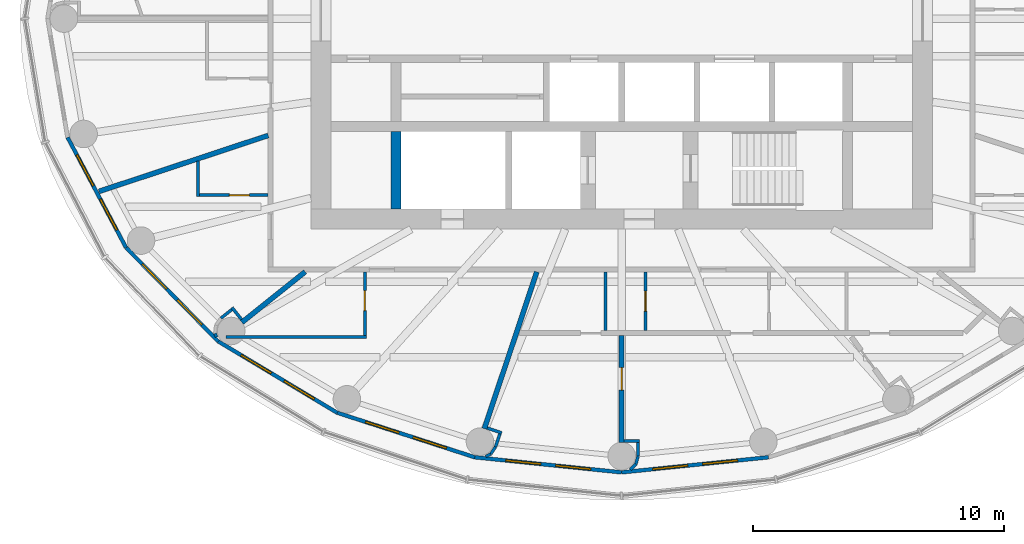
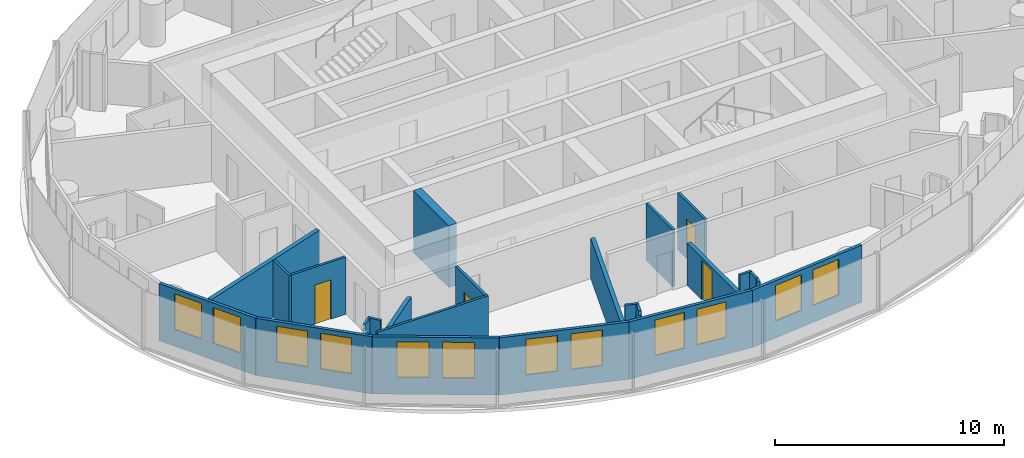
# One storey, part 6 of 14: 28 walls, 12 windows, 4 doors, 16 openings.
"""IFC4 building model written with IfcOpenShell, lengths in metres."""

from ifc_helpers import new_model, si_unit, direction, frame, frame_2d, origin, place, context, subcontext, project, spatial, rectangle, extrude, material, layer, layer_set, type_object, element, fill, save


model = new_model("IFC4")

# Units and contexts
model_context = context("Model", 3, precision=1e-05, world=origin(), true_north=direction((0.0, 1.0)))
body_context = subcontext(model_context, "Body", "Model", "MODEL_VIEW")
ifc_project = project(units=[si_unit("LENGTHUNIT", "METRE"), si_unit("AREAUNIT", "SQUARE_METRE"), si_unit("VOLUMEUNIT", "CUBIC_METRE"), si_unit("PLANEANGLEUNIT", "RADIAN"), si_unit("MASSUNIT", "GRAM", prefix="KILO")], contexts=[model_context])

# Site, building, storey
site_placement = place(None, origin())
site = spatial("IfcSite", under=ifc_project, at=site_placement, CompositionType="ELEMENT")
building_placement = place(site_placement, origin())
building = spatial("IfcBuilding", under=site, at=building_placement, Name="Hankou Lantern Tower", CompositionType="ELEMENT")
storey_placement = place(building_placement, frame((0.0, 0.0, 183.0)))
storey = spatial("IfcBuildingStorey", under=building, at=storey_placement, Name="L49", CompositionType="ELEMENT", Elevation=183.0)

# Wall
ifc_material_1 = material(Name="Concrete C60", Category="concrete")
ifc_layer_1 = layer(ifc_material_1, 0.39990234375)
ifc_layer_set_1 = layer_set([ifc_layer_1], Name="Concrete C60")
wall_type_1 = type_object("IfcWallType", Name="CW4 CORE CROSS WALL 400", PredefinedType="SHEAR", material=ifc_layer_set_1)
wall_1_placement = place(storey_placement, frame((-9.0, -7.60009765625, 0.0), z_axis=(0.0, 0.0, 1.0), x_axis=(0.0, 1.0, 0.0)))
element("IfcWall", 1, at=wall_1_placement, inside=storey, type_object=wall_type_1, Name="Core strip wall L49", PredefinedType="SHEAR", context=body_context, shape_type="SweptSolid", body=[
    extrude(rectangle(XDim=3.10009765625, YDim=0.39990234375, at=frame_2d((1.550048828125, 0.0))), origin(), (0.0, 0.0, 1.0), 3.300048828125),
])

# Wall, openings, windows
ifc_material_2 = material(Name="Aluminium spandrel panel on steel studs", Category="steel")
ifc_layer_2 = layer(ifc_material_2, 0.14990234375)
ifc_layer_set_2 = layer_set([ifc_layer_2], Name="Aluminium spandrel panel on steel studs")
wall_type_2 = type_object("IfcWallType", Name="EW1 INNER SKIN WALL 150", PredefinedType="ELEMENTEDWALL", material=ifc_layer_set_2)
wall_2_placement = place(storey_placement, frame((-22.1015625, -4.73779296875, 0.0), z_axis=(0.0, 0.0, 1.0), x_axis=(0.468428906714, -0.883501193748, 0.0)))
wall_2 = element("IfcWall", 2, at=wall_2_placement, inside=storey, type_object=wall_type_2, Name="Inner skin R14-R15 L49", PredefinedType="ELEMENTEDWALL", context=body_context, shape_type="SweptSolid", body=[
    extrude(rectangle(XDim=4.9736328125, YDim=0.14990234375, at=frame_2d((2.48681640625, 0.0))), origin(), (0.0, 0.0, 1.0), 3.050048828125),
])
opening_1_placement = place(wall_2_placement, frame((0.786865234375, 0.0, 0.89990234375)))
opening_1 = element("IfcOpeningElement", 3, at=opening_1_placement, cuts=wall_2, Name="Opening W3", PredefinedType="OPENING", context=body_context, shape_type="SweptSolid", body=[
    extrude(rectangle(XDim=1.39990234375, YDim=1.89990234375, at=frame_2d((0.699951171875, 0.949951171875))), frame((0.0, 0.0849609375, 0.0), z_axis=(0.0, -1.0, 0.0), x_axis=(1.0, 0.0, 0.0)), (0.0, 0.0, 1.0), 0.169921875),
])
opening_2_placement = place(wall_2_placement, frame((2.786865234375, 0.0, 0.89990234375)))
opening_2 = element("IfcOpeningElement", 4, at=opening_2_placement, cuts=wall_2, Name="Opening W3", PredefinedType="OPENING", context=body_context, shape_type="SweptSolid", body=[
    extrude(rectangle(XDim=1.39990234375, YDim=1.89990234375, at=frame_2d((0.699951171875, 0.949951171875))), frame((0.0, 0.0849609375, 0.0), z_axis=(0.0, -1.0, 0.0), x_axis=(1.0, 0.0, 0.0)), (0.0, 0.0, 1.0), 0.169921875),
])
ifc_material_3 = material(Name="Aluminium framed double glazed window", Category="aluminium")
window_type = type_object("IfcWindowType", Name="W3 GUEST ROOM WINDOW 1400X1900", PartitioningType="DOUBLE_PANEL_VERTICAL", PredefinedType="WINDOW", material=ifc_material_3)
window_1_placement = place(opening_1_placement, origin())
window_1 = element("IfcWindow", 5, at=window_1_placement, inside=storey, type_object=window_type, Name="Window R14.1 L49", OverallHeight=1.89990234375, OverallWidth=1.39990234375, PartitioningType="SINGLE_PANEL", PredefinedType="WINDOW", context=body_context, shape_type="SweptSolid", body=[
    extrude(rectangle(XDim=1.39990234375, YDim=1.89990234375, at=frame_2d((0.699951171875, 0.949951171875))), frame((0.0, 0.030029296875, 0.0), z_axis=(0.0, -1.0, 0.0), x_axis=(1.0, 0.0, 0.0)), (0.0, 0.0, 1.0), 0.06005859375),
])
fill(opening_1, window_1)
window_2_placement = place(opening_2_placement, origin())
window_2 = element("IfcWindow", 6, at=window_2_placement, inside=storey, type_object=window_type, Name="Window R14.2 L49", OverallHeight=1.89990234375, OverallWidth=1.39990234375, PartitioningType="SINGLE_PANEL", PredefinedType="WINDOW", context=body_context, shape_type="SweptSolid", body=[
    extrude(rectangle(XDim=1.39990234375, YDim=1.89990234375, at=frame_2d((0.699951171875, 0.949951171875))), frame((0.0, 0.030029296875, 0.0), z_axis=(0.0, -1.0, 0.0), x_axis=(1.0, 0.0, 0.0)), (0.0, 0.0, 1.0), 0.06005859375),
])
fill(opening_2, window_2)

wall_3_placement = place(storey_placement, frame((-19.771728515625, -9.132080078125, 0.0), z_axis=(0.0, 0.0, 1.0), x_axis=(0.700727467776, -0.71342905457, 0.0)))
wall_3 = element("IfcWall", 7, at=wall_3_placement, inside=storey, type_object=wall_type_2, Name="Inner skin R15-R16 L49", PredefinedType="ELEMENTEDWALL", context=body_context, shape_type="SweptSolid", body=[
    extrude(rectangle(XDim=5.247314453125, YDim=0.14990234375, at=frame_2d((2.62353515625, 0.0))), origin(), (0.0, 0.0, 1.0), 3.050048828125),
])
opening_3_placement = place(wall_3_placement, frame((0.923583984375, 0.0, 0.89990234375)))
opening_3 = element("IfcOpeningElement", 8, at=opening_3_placement, cuts=wall_3, Name="Opening W3", PredefinedType="OPENING", context=body_context, shape_type="SweptSolid", body=[
    extrude(rectangle(XDim=1.39990234375, YDim=1.89990234375, at=frame_2d((0.699951171875, 0.949951171875))), frame((0.0, 0.0849609375, 0.0), z_axis=(0.0, -1.0, 0.0), x_axis=(1.0, 0.0, 0.0)), (0.0, 0.0, 1.0), 0.169921875),
])
opening_4_placement = place(wall_3_placement, frame((2.923583984375, 0.0, 0.89990234375)))
opening_4 = element("IfcOpeningElement", 9, at=opening_4_placement, cuts=wall_3, Name="Opening W3", PredefinedType="OPENING", context=body_context, shape_type="SweptSolid", body=[
    extrude(rectangle(XDim=1.39990234375, YDim=1.89990234375, at=frame_2d((0.699951171875, 0.949951171875))), frame((0.0, 0.0849609375, 0.0), z_axis=(0.0, -1.0, 0.0), x_axis=(1.0, 0.0, 0.0)), (0.0, 0.0, 1.0), 0.169921875),
])
window_3_placement = place(opening_3_placement, origin())
window_3 = element("IfcWindow", 10, at=window_3_placement, inside=storey, type_object=window_type, Name="Window R15.1 L49", OverallHeight=1.89990234375, OverallWidth=1.39990234375, PartitioningType="SINGLE_PANEL", PredefinedType="WINDOW", context=body_context, shape_type="SweptSolid", body=[
    extrude(rectangle(XDim=1.39990234375, YDim=1.89990234375, at=frame_2d((0.699951171875, 0.949951171875))), frame((0.0, 0.030029296875, 0.0), z_axis=(0.0, -1.0, 0.0), x_axis=(1.0, 0.0, 0.0)), (0.0, 0.0, 1.0), 0.06005859375),
])
fill(opening_3, window_3)
window_4_placement = place(opening_4_placement, origin())
window_4 = element("IfcWindow", 11, at=window_4_placement, inside=storey, type_object=window_type, Name="Window R15.2 L49", OverallHeight=1.89990234375, OverallWidth=1.39990234375, PartitioningType="SINGLE_PANEL", PredefinedType="WINDOW", context=body_context, shape_type="SweptSolid", body=[
    extrude(rectangle(XDim=1.39990234375, YDim=1.89990234375, at=frame_2d((0.699951171875, 0.949951171875))), frame((0.0, 0.030029296875, 0.0), z_axis=(0.0, -1.0, 0.0), x_axis=(1.0, 0.0, 0.0)), (0.0, 0.0, 1.0), 0.06005859375),
])
fill(opening_4, window_4)

wall_4_placement = place(storey_placement, frame((-16.0947265625, -12.875732421875, 0.0), z_axis=(0.0, 0.0, 1.0), x_axis=(0.857695199231, -0.514158482587, 0.0)))
wall_4 = element("IfcWall", 12, at=wall_4_placement, inside=storey, type_object=wall_type_2, Name="Inner skin R16-R17 L49", PredefinedType="ELEMENTEDWALL", context=body_context, shape_type="SweptSolid", body=[
    extrude(rectangle(XDim=5.5361328125, YDim=0.14990234375, at=frame_2d((2.76806640625, 0.0))), origin(), (0.0, 0.0, 1.0), 3.050048828125),
])
opening_5_placement = place(wall_4_placement, frame((1.068115234375, 0.0, 0.89990234375)))
opening_5 = element("IfcOpeningElement", 13, at=opening_5_placement, cuts=wall_4, Name="Opening W3", PredefinedType="OPENING", context=body_context, shape_type="SweptSolid", body=[
    extrude(rectangle(XDim=1.39990234375, YDim=1.89990234375, at=frame_2d((0.699951171875, 0.949951171875))), frame((0.0, 0.0849609375, 0.0), z_axis=(0.0, -1.0, 0.0), x_axis=(1.0, 0.0, 0.0)), (0.0, 0.0, 1.0), 0.169921875),
])
opening_6_placement = place(wall_4_placement, frame((3.068115234375, 0.0, 0.89990234375)))
opening_6 = element("IfcOpeningElement", 14, at=opening_6_placement, cuts=wall_4, Name="Opening W3", PredefinedType="OPENING", context=body_context, shape_type="SweptSolid", body=[
    extrude(rectangle(XDim=1.39990234375, YDim=1.89990234375, at=frame_2d((0.699951171875, 0.949951171875))), frame((0.0, 0.0849609375, 0.0), z_axis=(0.0, -1.0, 0.0), x_axis=(1.0, 0.0, 0.0)), (0.0, 0.0, 1.0), 0.169921875),
])
window_5_placement = place(opening_5_placement, origin())
window_5 = element("IfcWindow", 15, at=window_5_placement, inside=storey, type_object=window_type, Name="Window R16.1 L49", OverallHeight=1.89990234375, OverallWidth=1.39990234375, PartitioningType="SINGLE_PANEL", PredefinedType="WINDOW", context=body_context, shape_type="SweptSolid", body=[
    extrude(rectangle(XDim=1.39990234375, YDim=1.89990234375, at=frame_2d((0.699951171875, 0.949951171875))), frame((0.0, 0.030029296875, 0.0), z_axis=(0.0, -1.0, 0.0), x_axis=(1.0, 0.0, 0.0)), (0.0, 0.0, 1.0), 0.06005859375),
])
fill(opening_5, window_5)
window_6_placement = place(opening_6_placement, origin())
window_6 = element("IfcWindow", 16, at=window_6_placement, inside=storey, type_object=window_type, Name="Window R16.2 L49", OverallHeight=1.89990234375, OverallWidth=1.39990234375, PartitioningType="SINGLE_PANEL", PredefinedType="WINDOW", context=body_context, shape_type="SweptSolid", body=[
    extrude(rectangle(XDim=1.39990234375, YDim=1.89990234375, at=frame_2d((0.699951171875, 0.949951171875))), frame((0.0, 0.030029296875, 0.0), z_axis=(0.0, -1.0, 0.0), x_axis=(1.0, 0.0, 0.0)), (0.0, 0.0, 1.0), 0.06005859375),
])
fill(opening_6, window_6)

wall_5_placement = place(storey_placement, frame((-11.346435546875, -15.72216796875, 0.0), z_axis=(0.0, 0.0, 1.0), x_axis=(0.951432482129, -0.307857486429, 0.0)))
wall_5 = element("IfcWall", 17, at=wall_5_placement, inside=storey, type_object=wall_type_2, Name="Inner skin R17-R18 L49", PredefinedType="ELEMENTEDWALL", context=body_context, shape_type="SweptSolid", body=[
    extrude(rectangle(XDim=5.76611328125, YDim=0.14990234375, at=frame_2d((2.883056640625, 0.0))), origin(), (0.0, 0.0, 1.0), 3.050048828125),
])
opening_7_placement = place(wall_5_placement, frame((1.18310546875, 0.0, 0.89990234375)))
opening_7 = element("IfcOpeningElement", 18, at=opening_7_placement, cuts=wall_5, Name="Opening W3", PredefinedType="OPENING", context=body_context, shape_type="SweptSolid", body=[
    extrude(rectangle(XDim=1.39990234375, YDim=1.89990234375, at=frame_2d((0.699951171875, 0.949951171875))), frame((0.0, 0.0849609375, 0.0), z_axis=(0.0, -1.0, 0.0), x_axis=(1.0, 0.0, 0.0)), (0.0, 0.0, 1.0), 0.169921875),
])
opening_8_placement = place(wall_5_placement, frame((3.18310546875, 0.0, 0.89990234375)))
opening_8 = element("IfcOpeningElement", 19, at=opening_8_placement, cuts=wall_5, Name="Opening W3", PredefinedType="OPENING", context=body_context, shape_type="SweptSolid", body=[
    extrude(rectangle(XDim=1.39990234375, YDim=1.89990234375, at=frame_2d((0.699951171875, 0.949951171875))), frame((0.0, 0.0849609375, 0.0), z_axis=(0.0, -1.0, 0.0), x_axis=(1.0, 0.0, 0.0)), (0.0, 0.0, 1.0), 0.169921875),
])
window_7_placement = place(opening_7_placement, origin())
window_7 = element("IfcWindow", 20, at=window_7_placement, inside=storey, type_object=window_type, Name="Window R17.1 L49", OverallHeight=1.89990234375, OverallWidth=1.39990234375, PartitioningType="SINGLE_PANEL", PredefinedType="WINDOW", context=body_context, shape_type="SweptSolid", body=[
    extrude(rectangle(XDim=1.39990234375, YDim=1.89990234375, at=frame_2d((0.699951171875, 0.949951171875))), frame((0.0, 0.030029296875, 0.0), z_axis=(0.0, -1.0, 0.0), x_axis=(1.0, 0.0, 0.0)), (0.0, 0.0, 1.0), 0.06005859375),
])
fill(opening_7, window_7)
window_8_placement = place(opening_8_placement, origin())
window_8 = element("IfcWindow", 21, at=window_8_placement, inside=storey, type_object=window_type, Name="Window R17.2 L49", OverallHeight=1.89990234375, OverallWidth=1.39990234375, PartitioningType="SINGLE_PANEL", PredefinedType="WINDOW", context=body_context, shape_type="SweptSolid", body=[
    extrude(rectangle(XDim=1.39990234375, YDim=1.89990234375, at=frame_2d((0.699951171875, 0.949951171875))), frame((0.0, 0.030029296875, 0.0), z_axis=(0.0, -1.0, 0.0), x_axis=(1.0, 0.0, 0.0)), (0.0, 0.0, 1.0), 0.06005859375),
])
fill(opening_8, window_8)

wall_6_placement = place(storey_placement, frame((-5.8603515625, -17.497314453125, 0.0), z_axis=(0.0, 0.0, 1.0), x_axis=(0.994751738032, -0.102318032045, 0.0)))
wall_6 = element("IfcWall", 22, at=wall_6_placement, inside=storey, type_object=wall_type_2, Name="Inner skin R18-R19 L49", PredefinedType="ELEMENTEDWALL", context=body_context, shape_type="SweptSolid", body=[
    extrude(rectangle(XDim=5.891357421875, YDim=0.14990234375, at=frame_2d((2.94580078125, 0.0))), origin(), (0.0, 0.0, 1.0), 3.050048828125),
])
opening_9_placement = place(wall_6_placement, frame((1.24560546875, 0.0, 0.89990234375)))
opening_9 = element("IfcOpeningElement", 23, at=opening_9_placement, cuts=wall_6, Name="Opening W3", PredefinedType="OPENING", context=body_context, shape_type="SweptSolid", body=[
    extrude(rectangle(XDim=1.39990234375, YDim=1.89990234375, at=frame_2d((0.699951171875, 0.949951171875))), frame((0.0, 0.0849609375, 0.0), z_axis=(0.0, -1.0, 0.0), x_axis=(1.0, 0.0, 0.0)), (0.0, 0.0, 1.0), 0.169921875),
])
opening_10_placement = place(wall_6_placement, frame((3.24560546875, 0.0, 0.89990234375)))
opening_10 = element("IfcOpeningElement", 24, at=opening_10_placement, cuts=wall_6, Name="Opening W3", PredefinedType="OPENING", context=body_context, shape_type="SweptSolid", body=[
    extrude(rectangle(XDim=1.39990234375, YDim=1.89990234375, at=frame_2d((0.699951171875, 0.949951171875))), frame((0.0, 0.0849609375, 0.0), z_axis=(0.0, -1.0, 0.0), x_axis=(1.0, 0.0, 0.0)), (0.0, 0.0, 1.0), 0.169921875),
])
window_9_placement = place(opening_9_placement, origin())
window_9 = element("IfcWindow", 25, at=window_9_placement, inside=storey, type_object=window_type, Name="Window R18.1 L49", OverallHeight=1.89990234375, OverallWidth=1.39990234375, PartitioningType="SINGLE_PANEL", PredefinedType="WINDOW", context=body_context, shape_type="SweptSolid", body=[
    extrude(rectangle(XDim=1.39990234375, YDim=1.89990234375, at=frame_2d((0.699951171875, 0.949951171875))), frame((0.0, 0.030029296875, 0.0), z_axis=(0.0, -1.0, 0.0), x_axis=(1.0, 0.0, 0.0)), (0.0, 0.0, 1.0), 0.06005859375),
])
fill(opening_9, window_9)
window_10_placement = place(opening_10_placement, origin())
window_10 = element("IfcWindow", 26, at=window_10_placement, inside=storey, type_object=window_type, Name="Window R18.2 L49", OverallHeight=1.89990234375, OverallWidth=1.39990234375, PartitioningType="SINGLE_PANEL", PredefinedType="WINDOW", context=body_context, shape_type="SweptSolid", body=[
    extrude(rectangle(XDim=1.39990234375, YDim=1.89990234375, at=frame_2d((0.699951171875, 0.949951171875))), frame((0.0, 0.030029296875, 0.0), z_axis=(0.0, -1.0, 0.0), x_axis=(1.0, 0.0, 0.0)), (0.0, 0.0, 1.0), 0.06005859375),
])
fill(opening_10, window_10)

wall_7_placement = place(storey_placement, frame((0.0, -18.10009765625, 0.0), z_axis=(0.0, 0.0, 1.0), x_axis=(0.994751738032, 0.102318032045, 0.0)))
wall_7 = element("IfcWall", 27, at=wall_7_placement, inside=storey, type_object=wall_type_2, Name="Inner skin R19-R20 L49", PredefinedType="ELEMENTEDWALL", context=body_context, shape_type="SweptSolid", body=[
    extrude(rectangle(XDim=5.891357421875, YDim=0.14990234375, at=frame_2d((2.94580078125, 0.0))), origin(), (0.0, 0.0, 1.0), 3.050048828125),
])
opening_11_placement = place(wall_7_placement, frame((1.24560546875, 0.0, 0.89990234375)))
opening_11 = element("IfcOpeningElement", 28, at=opening_11_placement, cuts=wall_7, Name="Opening W3", PredefinedType="OPENING", context=body_context, shape_type="SweptSolid", body=[
    extrude(rectangle(XDim=1.39990234375, YDim=1.89990234375, at=frame_2d((0.699951171875, 0.949951171875))), frame((0.0, 0.0849609375, 0.0), z_axis=(0.0, -1.0, 0.0), x_axis=(1.0, 0.0, 0.0)), (0.0, 0.0, 1.0), 0.169921875),
])
opening_12_placement = place(wall_7_placement, frame((3.24560546875, 0.0, 0.89990234375)))
opening_12 = element("IfcOpeningElement", 29, at=opening_12_placement, cuts=wall_7, Name="Opening W3", PredefinedType="OPENING", context=body_context, shape_type="SweptSolid", body=[
    extrude(rectangle(XDim=1.39990234375, YDim=1.89990234375, at=frame_2d((0.699951171875, 0.949951171875))), frame((0.0, 0.0849609375, 0.0), z_axis=(0.0, -1.0, 0.0), x_axis=(1.0, 0.0, 0.0)), (0.0, 0.0, 1.0), 0.169921875),
])
window_11_placement = place(opening_11_placement, origin())
window_11 = element("IfcWindow", 30, at=window_11_placement, inside=storey, type_object=window_type, Name="Window R19.1 L49", OverallHeight=1.89990234375, OverallWidth=1.39990234375, PartitioningType="SINGLE_PANEL", PredefinedType="WINDOW", context=body_context, shape_type="SweptSolid", body=[
    extrude(rectangle(XDim=1.39990234375, YDim=1.89990234375, at=frame_2d((0.699951171875, 0.949951171875))), frame((0.0, 0.030029296875, 0.0), z_axis=(0.0, -1.0, 0.0), x_axis=(1.0, 0.0, 0.0)), (0.0, 0.0, 1.0), 0.06005859375),
])
fill(opening_11, window_11)
window_12_placement = place(opening_12_placement, origin())
window_12 = element("IfcWindow", 31, at=window_12_placement, inside=storey, type_object=window_type, Name="Window R19.2 L49", OverallHeight=1.89990234375, OverallWidth=1.39990234375, PartitioningType="SINGLE_PANEL", PredefinedType="WINDOW", context=body_context, shape_type="SweptSolid", body=[
    extrude(rectangle(XDim=1.39990234375, YDim=1.89990234375, at=frame_2d((0.699951171875, 0.949951171875))), frame((0.0, 0.030029296875, 0.0), z_axis=(0.0, -1.0, 0.0), x_axis=(1.0, 0.0, 0.0)), (0.0, 0.0, 1.0), 0.06005859375),
])
fill(opening_12, window_12)

# Walls
ifc_material_4 = material(Name="Masonry lightweight concrete block", Category="masonry")
ifc_layer_3 = layer(ifc_material_4, 0.199951171875)
ifc_layer_set_3 = layer_set([ifc_layer_3], Name="Masonry lightweight concrete block")
wall_type_3 = type_object("IfcWallType", Name="IW1 GUEST ROOM PARTY WALL 200", PredefinedType="PARTITIONING", material=ifc_layer_set_3)
wall_8_placement = place(storey_placement, frame((-14.10009765625, -4.661376953125, 0.0), z_axis=(0.0, 0.0, 1.0), x_axis=(-0.949453216399, -0.313908569285, 0.0)))
element("IfcWall", 32, at=wall_8_placement, inside=storey, type_object=wall_type_3, Name="Party wall R14-R15", PredefinedType="PARTITIONING", context=body_context, shape_type="SweptSolid", body=[
    extrude(rectangle(XDim=7.108642578125, YDim=0.199951171875, at=frame_2d((3.55419921875, 0.0))), origin(), (0.0, 0.0, 1.0), 3.050048828125),
])
wall_9_placement = place(storey_placement, frame((-12.625, -10.10009765625, 0.0), z_axis=(0.0, 0.0, 1.0), x_axis=(-0.780876185034, -0.624685827954, 0.0)))
element("IfcWall", 33, at=wall_9_placement, inside=storey, type_object=wall_type_3, Name="Party wall R16", PredefinedType="PARTITIONING", context=body_context, shape_type="SweptSolid", body=[
    extrude(rectangle(XDim=3.229248046875, YDim=0.199951171875, at=frame_2d((1.61474609375, 0.0))), origin(), (0.0, 0.0, 1.0), 2.25),
])
wall_10_placement = place(storey_placement, frame((-3.3828125, -10.10009765625, 0.0), z_axis=(0.0, 0.0, 1.0), x_axis=(-0.317615120474, -0.948219718866, 0.0)))
element("IfcWall", 34, at=wall_10_placement, inside=storey, type_object=wall_type_3, Name="Party wall R18", PredefinedType="PARTITIONING", context=body_context, shape_type="SweptSolid", body=[
    extrude(rectangle(XDim=6.597412109375, YDim=0.199951171875, at=frame_2d((3.298828125, 0.0))), origin(), (0.0, 0.0, 1.0), 2.14990234375),
])
ifc_material_5 = material(Name="Masonry lightweight concrete block", Category="masonry")
ifc_layer_4 = layer(ifc_material_5, 0.1201171875)
ifc_layer_set_4 = layer_set([ifc_layer_4], Name="Masonry lightweight concrete block")
wall_type_4 = type_object("IfcWallType", Name="IW3 BATHROOM WALL 120", PredefinedType="PARTITIONING", material=ifc_layer_set_4)
wall_11_placement = place(storey_placement, frame((-16.89990234375, -5.687255859375, 0.0), z_axis=(0.0, 0.0, 1.0), x_axis=(0.0, -1.0, 0.0)))
element("IfcWall", 35, at=wall_11_placement, inside=storey, type_object=wall_type_4, Name="Box wall 4901 1", PredefinedType="PARTITIONING", context=body_context, shape_type="SweptSolid", body=[
    extrude(rectangle(XDim=1.414306640625, YDim=0.1201171875, at=frame_2d((0.70703125, 0.0))), origin(), (0.0, 0.0, 1.0), 3.050048828125),
])

# Wall, opening, door
wall_12_placement = place(storey_placement, frame((-14.10009765625, -7.04150390625, 0.0), z_axis=(0.0, 0.0, 1.0), x_axis=(-1.0, 0.0, 0.0)))
wall_12 = element("IfcWall", 36, at=wall_12_placement, inside=storey, type_object=wall_type_4, Name="Box wall 4901 1", PredefinedType="PARTITIONING", context=body_context, shape_type="SweptSolid", body=[
    extrude(rectangle(XDim=2.739990234375, YDim=0.1201171875, at=frame_2d((1.3701171875, 0.0))), origin(), (0.0, 0.0, 1.0), 3.050048828125),
])
opening_13_placement = place(wall_12_placement, frame((0.75, 0.0, 0.0)))
opening_13 = element("IfcOpeningElement", 37, at=opening_13_placement, cuts=wall_12, Name="Opening D3", PredefinedType="OPENING", context=body_context, shape_type="SweptSolid", body=[
    extrude(rectangle(XDim=0.800048828125, YDim=2.10009765625, at=frame_2d((0.39990234375, 1.050048828125))), frame((0.0, 0.070068359375, 0.0), z_axis=(0.0, -1.0, 0.0), x_axis=(1.0, 0.0, 0.0)), (0.0, 0.0, 1.0), 0.14013671875),
])
ifc_material_6 = material(Name="Timber door leaf", Category="wood")
door_type_1 = type_object("IfcDoorType", Name="D3 BATHROOM DOOR 800X2100", OperationType="SINGLE_SWING_LEFT", PredefinedType="DOOR", material=ifc_material_6)
door_1_placement = place(opening_13_placement, origin())
door_1 = element("IfcDoor", 38, at=door_1_placement, inside=storey, type_object=door_type_1, Name="En-suite bathroom 4901 door", OperationType="SINGLE_SWING_LEFT", OverallHeight=2.10009765625, OverallWidth=0.800048828125, PredefinedType="DOOR", context=body_context, shape_type="SweptSolid", body=[
    extrude(rectangle(XDim=0.800048828125, YDim=2.10009765625, at=frame_2d((0.39990234375, 1.050048828125))), frame((0.0, 0.02490234375, 0.0), z_axis=(0.0, -1.0, 0.0), x_axis=(1.0, 0.0, 0.0)), (0.0, 0.0, 1.0), 0.050048828125),
])
fill(opening_13, door_1)

# Wall
wall_13_placement = place(storey_placement, frame((-15.77490234375, -12.699951171875, 0.0), z_axis=(0.0, 0.0, 1.0), x_axis=(1.0, 0.0, 0.0)))
element("IfcWall", 39, at=wall_13_placement, inside=storey, type_object=wall_type_4, Name="Box wall 4902 1", PredefinedType="PARTITIONING", context=body_context, shape_type="SweptSolid", body=[
    extrude(rectangle(XDim=5.58984375, YDim=0.1201171875, at=frame_2d((2.794921875, 0.0))), origin(), (0.0, 0.0, 1.0), 3.050048828125),
])

# Wall, opening, door
wall_14_placement = place(storey_placement, frame((-10.2451171875, -10.10009765625, 0.0), z_axis=(0.0, 0.0, 1.0), x_axis=(0.0, -1.0, 0.0)))
wall_14 = element("IfcWall", 40, at=wall_14_placement, inside=storey, type_object=wall_type_4, Name="Box wall 4902 1", PredefinedType="PARTITIONING", context=body_context, shape_type="SweptSolid", body=[
    extrude(rectangle(XDim=2.539794921875, YDim=0.1201171875, at=frame_2d((1.27001953125, 0.0))), origin(), (0.0, 0.0, 1.0), 3.050048828125),
])
opening_14_placement = place(wall_14_placement, frame((0.75, 0.0, 0.0)))
opening_14 = element("IfcOpeningElement", 41, at=opening_14_placement, cuts=wall_14, Name="Opening D3", PredefinedType="OPENING", context=body_context, shape_type="SweptSolid", body=[
    extrude(rectangle(XDim=0.800048828125, YDim=2.10009765625, at=frame_2d((0.39990234375, 1.050048828125))), frame((0.0, 0.070068359375, 0.0), z_axis=(0.0, -1.0, 0.0), x_axis=(1.0, 0.0, 0.0)), (0.0, 0.0, 1.0), 0.14013671875),
])
door_2_placement = place(opening_14_placement, origin())
door_2 = element("IfcDoor", 42, at=door_2_placement, inside=storey, type_object=door_type_1, Name="Junior suite 4902 bathroom door", OperationType="SINGLE_SWING_LEFT", OverallHeight=2.10009765625, OverallWidth=0.800048828125, PredefinedType="DOOR", context=body_context, shape_type="SweptSolid", body=[
    extrude(rectangle(XDim=0.800048828125, YDim=2.10009765625, at=frame_2d((0.39990234375, 1.050048828125))), frame((0.0, 0.02490234375, 0.0), z_axis=(0.0, -1.0, 0.0), x_axis=(1.0, 0.0, 0.0)), (0.0, 0.0, 1.0), 0.050048828125),
])
fill(opening_14, door_2)

# Wall
wall_15_placement = place(storey_placement, frame((-0.648193359375, -10.10009765625, 0.0), z_axis=(0.0, 0.0, 1.0), x_axis=(0.0, -1.0, 0.0)))
element("IfcWall", 43, at=wall_15_placement, inside=storey, type_object=wall_type_4, Name="Box wall 4903 1", PredefinedType="PARTITIONING", context=body_context, shape_type="SweptSolid", body=[
    extrude(rectangle(XDim=2.349853515625, YDim=0.1201171875, at=frame_2d((1.1748046875, 0.0))), origin(), (0.0, 0.0, 1.0), 3.050048828125),
])

# Wall, opening, door
wall_16_placement = place(storey_placement, frame((0.9501953125, -10.10009765625, 0.0), z_axis=(0.0, 0.0, 1.0), x_axis=(0.0, -1.0, 0.0)))
wall_16 = element("IfcWall", 44, at=wall_16_placement, inside=storey, type_object=wall_type_4, Name="Box wall 4903 2", PredefinedType="PARTITIONING", context=body_context, shape_type="SweptSolid", body=[
    extrude(rectangle(XDim=2.349853515625, YDim=0.1201171875, at=frame_2d((1.1748046875, 0.0))), origin(), (0.0, 0.0, 1.0), 3.050048828125),
])
opening_15_placement = place(wall_16_placement, frame((0.77001953125, 0.0, 0.0)))
opening_15 = element("IfcOpeningElement", 45, at=opening_15_placement, cuts=wall_16, Name="Opening D3", PredefinedType="OPENING", context=body_context, shape_type="SweptSolid", body=[
    extrude(rectangle(XDim=0.800048828125, YDim=2.10009765625, at=frame_2d((0.39990234375, 1.050048828125))), frame((0.0, 0.070068359375, 0.0), z_axis=(0.0, -1.0, 0.0), x_axis=(1.0, 0.0, 0.0)), (0.0, 0.0, 1.0), 0.14013671875),
])
door_3_placement = place(opening_15_placement, origin())
door_3 = element("IfcDoor", 46, at=door_3_placement, inside=storey, type_object=door_type_1, Name="Family suite 4903 guest WC door", OperationType="SINGLE_SWING_LEFT", OverallHeight=2.10009765625, OverallWidth=0.800048828125, PredefinedType="DOOR", context=body_context, shape_type="SweptSolid", body=[
    extrude(rectangle(XDim=0.800048828125, YDim=2.10009765625, at=frame_2d((0.39990234375, 1.050048828125))), frame((0.0, 0.02490234375, 0.0), z_axis=(0.0, -1.0, 0.0), x_axis=(1.0, 0.0, 0.0)), (0.0, 0.0, 1.0), 0.050048828125),
])
fill(opening_15, door_3)

# Walls
ifc_material_7 = material(Name="Masonry lightweight concrete block", Category="masonry")
ifc_layer_5 = layer(ifc_material_7, 0.1201171875)
ifc_layer_set_5 = layer_set([ifc_layer_5], Name="Masonry lightweight concrete block")
wall_type_5 = type_object("IfcWallType", Name="IW4 PARTITION 120", PredefinedType="PARTITIONING", material=ifc_layer_set_5)
wall_17_placement = place(storey_placement, frame((-15.162353515625, -12.001708984375, 0.0), z_axis=(0.0, 0.0, 1.0), x_axis=(-0.624597762427, 0.780946627607, 0.0)))
element("IfcWall", 47, at=wall_17_placement, inside=storey, type_object=wall_type_5, Name="Column casing R16 return", PredefinedType="PARTITIONING", context=body_context, shape_type="SweptSolid", body=[
    extrude(rectangle(XDim=0.612060546875, YDim=0.1201171875, at=frame_2d((0.30615234375, 0.0))), origin(), (0.0, 0.0, 1.0), 3.050048828125),
])
wall_18_placement = place(storey_placement, frame((-15.55419921875, -11.60791015625, 0.0), z_axis=(0.0, 0.0, 1.0), x_axis=(-0.780695577787, -0.624911525597, 0.0)))
element("IfcWall", 48, at=wall_18_placement, inside=storey, type_object=wall_type_5, Name="Column casing R16", PredefinedType="PARTITIONING", context=body_context, shape_type="SweptSolid", body=[
    extrude(rectangle(XDim=0.550048828125, YDim=0.1201171875, at=frame_2d((0.27490234375, 0.0))), origin(), (0.0, 0.0, 1.0), 3.050048828125),
])
wall_19_placement = place(storey_placement, frame((-16.220947265625, -12.55908203125, 0.0), z_axis=(0.0, 0.0, 1.0), x_axis=(0.401064416249, -0.916049853457, 0.0)))
element("IfcWall", 49, at=wall_19_placement, inside=storey, type_object=wall_type_5, Name="Column casing R16", PredefinedType="PARTITIONING", context=body_context, shape_type="SweptSolid", body=[
    extrude(rectangle(XDim=0.156494140625, YDim=0.1201171875, at=frame_2d((0.078125, 0.0))), origin(), (0.0, 0.0, 1.0), 3.050048828125),
])
wall_20_placement = place(storey_placement, frame((-5.3642578125, -16.330810546875, 0.0), z_axis=(0.0, 0.0, 1.0), x_axis=(0.948283770087, -0.317423835572, 0.0)))
element("IfcWall", 50, at=wall_20_placement, inside=storey, type_object=wall_type_5, Name="Column casing R18 return", PredefinedType="PARTITIONING", context=body_context, shape_type="SweptSolid", body=[
    extrude(rectangle(XDim=0.6123046875, YDim=0.1201171875, at=frame_2d((0.30615234375, 0.0))), origin(), (0.0, 0.0, 1.0), 3.050048828125),
])
wall_21_placement = place(storey_placement, frame((-4.859619140625, -16.56298828125, 0.0), z_axis=(0.0, 0.0, 1.0), x_axis=(-0.317825321803, -0.948149284038, 0.0)))
element("IfcWall", 51, at=wall_21_placement, inside=storey, type_object=wall_type_5, Name="Column casing R18", PredefinedType="PARTITIONING", context=body_context, shape_type="SweptSolid", body=[
    extrude(rectangle(XDim=0.550048828125, YDim=0.1201171875, at=frame_2d((0.27490234375, 0.0))), origin(), (0.0, 0.0, 1.0), 3.050048828125),
])
wall_22_placement = place(storey_placement, frame((-5.034423828125, -17.08447265625, 0.0), z_axis=(0.0, 0.0, 1.0), x_axis=(-0.552362205726, -0.833604218851, 0.0)))
element("IfcWall", 52, at=wall_22_placement, inside=storey, type_object=wall_type_5, Name="Column casing R18", PredefinedType="PARTITIONING", context=body_context, shape_type="SweptSolid", body=[
    extrude(rectangle(XDim=0.337646484375, YDim=0.1201171875, at=frame_2d((0.1689453125, 0.0))), origin(), (0.0, 0.0, 1.0), 3.050048828125),
])
wall_23_placement = place(storey_placement, frame((-5.220947265625, -17.365966796875, 0.0), z_axis=(0.0, 0.0, 1.0), x_axis=(-0.895067896179, -0.445929883759, 0.0)))
element("IfcWall", 53, at=wall_23_placement, inside=storey, type_object=wall_type_5, Name="Column casing R18", PredefinedType="PARTITIONING", context=body_context, shape_type="SweptSolid", body=[
    extrude(rectangle(XDim=0.228271484375, YDim=0.1201171875, at=frame_2d((0.1142578125, 0.0))), origin(), (0.0, 0.0, 1.0), 3.050048828125),
])
wall_24_placement = place(storey_placement, frame((0.10009765625, -16.840087890625, 0.0), z_axis=(0.0, 0.0, 1.0), x_axis=(1.0, 0.0, 0.0)))
element("IfcWall", 54, at=wall_24_placement, inside=storey, type_object=wall_type_5, Name="Column casing R19 return", PredefinedType="PARTITIONING", context=body_context, shape_type="SweptSolid", body=[
    extrude(rectangle(XDim=0.612060546875, YDim=0.1201171875, at=frame_2d((0.30615234375, 0.0))), origin(), (0.0, 0.0, 1.0), 3.050048828125),
])
wall_25_placement = place(storey_placement, frame((0.65234375, -16.89990234375, 0.0), z_axis=(0.0, 0.0, 1.0), x_axis=(0.0, -1.0, 0.0)))
element("IfcWall", 55, at=wall_25_placement, inside=storey, type_object=wall_type_5, Name="Column casing R19", PredefinedType="PARTITIONING", context=body_context, shape_type="SweptSolid", body=[
    extrude(rectangle(XDim=0.550048828125, YDim=0.1201171875, at=frame_2d((0.27490234375, 0.0))), origin(), (0.0, 0.0, 1.0), 3.050048828125),
])
wall_26_placement = place(storey_placement, frame((0.65234375, -17.449951171875, 0.0), z_axis=(0.0, 0.0, 1.0), x_axis=(-0.258832454679, -0.965922233104, 0.0)))
element("IfcWall", 56, at=wall_26_placement, inside=storey, type_object=wall_type_5, Name="Column casing R19", PredefinedType="PARTITIONING", context=body_context, shape_type="SweptSolid", body=[
    extrude(rectangle(XDim=0.337646484375, YDim=0.1201171875, at=frame_2d((0.1689453125, 0.0))), origin(), (0.0, 0.0, 1.0), 3.050048828125),
])
wall_27_placement = place(storey_placement, frame((0.56494140625, -17.776123046875, 0.0), z_axis=(0.0, 0.0, 1.0), x_axis=(-0.707106781187, -0.707106781187, 0.0)))
element("IfcWall", 57, at=wall_27_placement, inside=storey, type_object=wall_type_5, Name="Column casing R19", PredefinedType="PARTITIONING", context=body_context, shape_type="SweptSolid", body=[
    extrude(rectangle(XDim=0.30078125, YDim=0.1201171875, at=frame_2d((0.150390625, 0.0))), origin(), (0.0, 0.0, 1.0), 3.050048828125),
])

# Wall, opening, door
ifc_material_8 = material(Name="Masonry lightweight concrete block", Category="masonry")
ifc_layer_6 = layer(ifc_material_8, 0.199951171875)
ifc_layer_set_6 = layer_set([ifc_layer_6], Name="Masonry lightweight concrete block")
wall_type_6 = type_object("IfcWallType", Name="IW6 SUITE PARTITION 200", PredefinedType="PARTITIONING", material=ifc_layer_set_6)
wall_28_placement = place(storey_placement, frame((0.0, -12.64990234375, 0.0), z_axis=(0.0, 0.0, 1.0), x_axis=(0.0, -1.0, 0.0)))
wall_28 = element("IfcWall", 58, at=wall_28_placement, inside=storey, type_object=wall_type_6, Name="Suite partition R19", PredefinedType="PARTITIONING", context=body_context, shape_type="SweptSolid", body=[
    extrude(rectangle(XDim=4.25, YDim=0.199951171875, at=frame_2d((2.125, 0.0))), origin(), (0.0, 0.0, 1.0), 2.25),
])
opening_16_placement = place(wall_28_placement, frame((1.27001953125, 0.0, 0.0)))
opening_16 = element("IfcOpeningElement", 59, at=opening_16_placement, cuts=wall_28, Name="Opening D27", PredefinedType="OPENING", context=body_context, shape_type="SweptSolid", body=[
    extrude(rectangle(XDim=0.89990234375, YDim=2.10009765625, at=frame_2d((0.449951171875, 1.050048828125))), frame((0.0, 0.10986328125, 0.0), z_axis=(0.0, -1.0, 0.0), x_axis=(1.0, 0.0, 0.0)), (0.0, 0.0, 1.0), 0.219970703125),
])
ifc_material_9 = material(Name="Timber door leaf", Category="wood")
door_type_2 = type_object("IfcDoorType", Name="D27 INTERNAL DOOR 900X2100", OperationType="SINGLE_SWING_LEFT", PredefinedType="DOOR", material=ifc_material_9)
door_4_placement = place(opening_16_placement, origin())
door_4 = element("IfcDoor", 60, at=door_4_placement, inside=storey, type_object=door_type_2, Name="Family suite 4903 bedroom door", OperationType="SINGLE_SWING_LEFT", OverallHeight=2.10009765625, OverallWidth=0.89990234375, PredefinedType="DOOR", context=body_context, shape_type="SweptSolid", body=[
    extrude(rectangle(XDim=0.89990234375, YDim=2.10009765625, at=frame_2d((0.449951171875, 1.050048828125))), frame((0.0, 0.02490234375, 0.0), z_axis=(0.0, -1.0, 0.0), x_axis=(1.0, 0.0, 0.0)), (0.0, 0.0, 1.0), 0.050048828125),
])
fill(opening_16, door_4)

save(model, "model.ifc")
